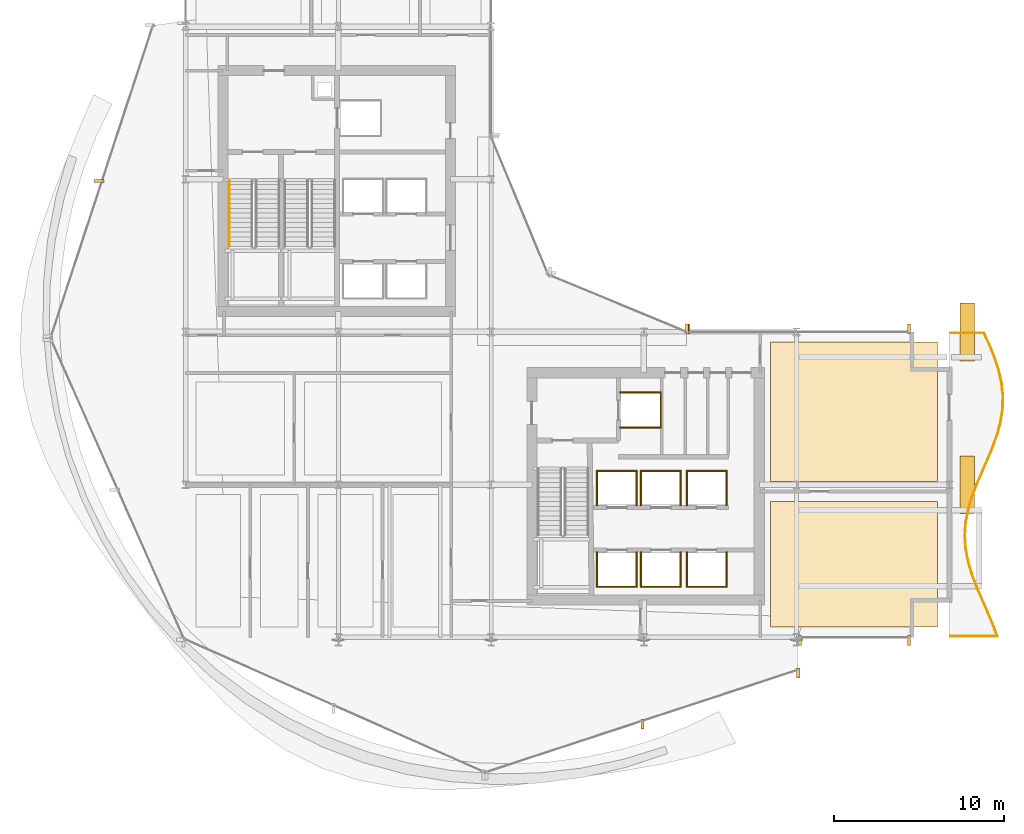
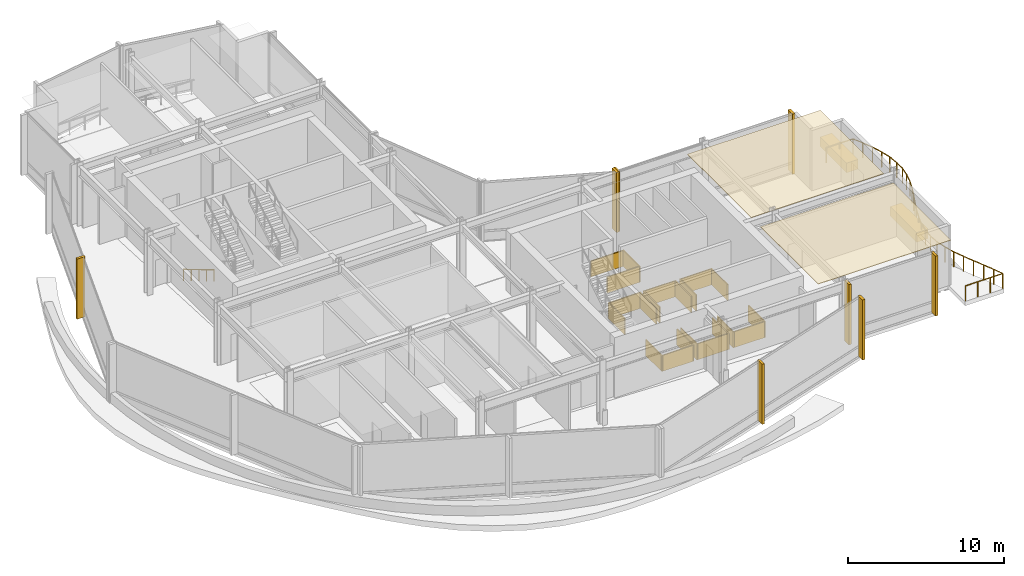
# One storey, part 31 of 33: 33 coverings, 27 railings.
"""IFC4 building model written with IfcOpenShell, lengths in metres."""

from ifc_helpers import new_model, si_unit, direction, frame, origin, origin_2d, place, context, subcontext, project, spatial, polyline, rectangle, circle, outline, extrude, material, layer, layer_set, type_object, element, save


model = new_model("IFC4")

# Units and contexts
model_context = context("Model", 3, precision=1e-05, world=origin(), true_north=direction((0.0, 1.0)))
body_context = subcontext(model_context, "Body", "Model", "MODEL_VIEW")
ifc_project = project(units=[si_unit("LENGTHUNIT", "METRE"), si_unit("AREAUNIT", "SQUARE_METRE"), si_unit("VOLUMEUNIT", "CUBIC_METRE"), si_unit("PLANEANGLEUNIT", "RADIAN"), si_unit("MASSUNIT", "GRAM", prefix="KILO")], contexts=[model_context])

# Site, building, storey
site_placement = place(None, origin())
site = spatial("IfcSite", under=ifc_project, at=site_placement, CompositionType="ELEMENT")
building_placement = place(site_placement, origin())
building = spatial("IfcBuilding", under=site, at=building_placement, Name="Solvaryn Broadcast Tower", CompositionType="ELEMENT")
storey_placement = place(building_placement, frame((0.0, 0.0, 105.0)))
storey = spatial("IfcBuildingStorey", under=building, at=storey_placement, Name="L25", CompositionType="ELEMENT", Elevation=105.0)

# Coverings
ifc_material_1 = material(Name="Micro-Perforated Acoustic Gypsum Ceiling", Category="concrete")
ifc_layer_1 = layer(ifc_material_1, 0.0400390625)
ifc_layer_set_1 = layer_set([ifc_layer_1], Name="CV-CEIL-ACOUSTIC")
covering_type_1 = type_object("IfcCoveringType", Name="CV-CEIL-ACOUSTIC", PredefinedType="CEILING", material=ifc_layer_set_1)
covering_1_placement = place(storey_placement, frame((0.0, 0.0, 4.679931640625)))
element("IfcCovering", 1, at=covering_1_placement, inside=storey, type_object=covering_type_1, Name="L25 Room Acoustic Ceiling 10", PredefinedType="CEILING", context=body_context, shape_type="SweptSolid", body=[
    extrude(outline(polyline([(43.449951171875, 9.60009765625), (53.300048828125, 9.60009765625), (53.300048828125, 17.0), (43.449951171875, 17.0), (43.449951171875, 9.60009765625)])), origin(), (0.0, 0.0, 1.0), 0.0400390625),
])
covering_2_placement = place(storey_placement, frame((0.0, 0.0, 4.679931640625)))
element("IfcCovering", 2, at=covering_2_placement, inside=storey, type_object=covering_type_1, Name="L25 Room Acoustic Ceiling 11", PredefinedType="CEILING", context=body_context, shape_type="SweptSolid", body=[
    extrude(outline(polyline([(43.449951171875, 18.199951171875), (53.300048828125, 18.199951171875), (53.300048828125, 26.39990234375), (43.449951171875, 26.39990234375), (43.449951171875, 18.199951171875)])), origin(), (0.0, 0.0, 1.0), 0.0400390625),
])
ifc_material_2 = material(Name="Fire-Rated Gypsum Shaftwall Liner", Category="concrete")
ifc_layer_2 = layer(ifc_material_2, 0.080078125)
ifc_layer_set_2 = layer_set([ifc_layer_2], Name="CV-SHAFT-LINER")
covering_type_2 = type_object("IfcCoveringType", Name="CV-SHAFT-LINER", PredefinedType="CLADDING", material=ifc_layer_set_2)
for number, where, z_axis, x_axis, name in (
    (3, (35.800048828125, 23.43994140625, 0.0), (0.0, 0.0, 1.0), (1.0, 0.0, 0.0), "L25 FL2 Hoistway Shaft Liner North"),
    (4, (35.800048828125, 21.360107421875, 0.0), (0.0, 0.0, 1.0), (1.0, 0.0, 0.0), "L25 FL2 Hoistway Shaft Liner South"),
):
    element("IfcCovering", number, at=place(storey_placement, frame(where, z_axis=z_axis, x_axis=x_axis)), inside=storey, type_object=covering_type_2, Name=name, PredefinedType="CLADDING", context=body_context, shape_type="SweptSolid", body=[
        extrude(rectangle(XDim=2.4599609375, YDim=0.080078125, at=origin_2d()), origin(), (0.0, 0.0, 1.0), 1.25),
    ])
covering_3_placement = place(storey_placement, frame((36.989990234375, 22.39990234375, 0.0), z_axis=(0.0, 0.0, 1.0), x_axis=(1.0, 0.0, 0.0)))
element("IfcCovering", 5, at=covering_3_placement, inside=storey, type_object=covering_type_2, Name="L25 FL2 Hoistway Shaft Liner East", PredefinedType="CLADDING", context=body_context, shape_type="SweptSolid", body=[
    extrude(rectangle(XDim=0.080078125, YDim=2.159912109375, at=origin_2d()), origin(), (0.0, 0.0, 1.0), 1.25),
])
covering_4_placement = place(storey_placement, frame((34.39990234375, 11.985107421875, 0.0), z_axis=(0.0, 0.0, 1.0), x_axis=(1.0, 0.0, 0.0)))
element("IfcCovering", 6, at=covering_4_placement, inside=storey, type_object=covering_type_2, Name="L25 PL1 Hoistway Shaft Liner South", PredefinedType="CLADDING", context=body_context, shape_type="SweptSolid", body=[
    extrude(rectangle(XDim=2.409912109375, YDim=0.080078125, at=origin_2d()), origin(), (0.0, 0.0, 1.0), 1.25),
])
for number, where, z_axis, x_axis, name in (
    (7, (35.56494140625, 13.0, 0.0), (0.0, 0.0, 1.0), (1.0, 0.0, 0.0), "L25 PL1 Hoistway Shaft Liner East"),
    (8, (33.235107421875, 13.0, 0.0), (0.0, 0.0, 1.0), (1.0, 0.0, 0.0), "L25 PL1 Hoistway Shaft Liner West"),
):
    element("IfcCovering", number, at=place(storey_placement, frame(where, z_axis=z_axis, x_axis=x_axis)), inside=storey, type_object=covering_type_2, Name=name, PredefinedType="CLADDING", context=body_context, shape_type="SweptSolid", body=[
        extrude(rectangle(XDim=0.080078125, YDim=2.110107421875, at=origin_2d()), origin(), (0.0, 0.0, 1.0), 1.25),
    ])
covering_5_placement = place(storey_placement, frame((37.0, 11.985107421875, 0.0), z_axis=(0.0, 0.0, 1.0), x_axis=(1.0, 0.0, 0.0)))
element("IfcCovering", 9, at=covering_5_placement, inside=storey, type_object=covering_type_2, Name="L25 PL2 Hoistway Shaft Liner South", PredefinedType="CLADDING", context=body_context, shape_type="SweptSolid", body=[
    extrude(rectangle(XDim=2.409912109375, YDim=0.080078125, at=origin_2d()), origin(), (0.0, 0.0, 1.0), 1.25),
])
for number, where, z_axis, x_axis, name in (
    (10, (38.1650390625, 13.0, 0.0), (0.0, 0.0, 1.0), (1.0, 0.0, 0.0), "L25 PL2 Hoistway Shaft Liner East"),
    (11, (35.8349609375, 13.0, 0.0), (0.0, 0.0, 1.0), (1.0, 0.0, 0.0), "L25 PL2 Hoistway Shaft Liner West"),
):
    element("IfcCovering", number, at=place(storey_placement, frame(where, z_axis=z_axis, x_axis=x_axis)), inside=storey, type_object=covering_type_2, Name=name, PredefinedType="CLADDING", context=body_context, shape_type="SweptSolid", body=[
        extrude(rectangle(XDim=0.080078125, YDim=2.110107421875, at=origin_2d()), origin(), (0.0, 0.0, 1.0), 1.25),
    ])
covering_6_placement = place(storey_placement, frame((34.39990234375, 18.81494140625, 0.0), z_axis=(0.0, 0.0, 1.0), x_axis=(1.0, 0.0, 0.0)))
element("IfcCovering", 12, at=covering_6_placement, inside=storey, type_object=covering_type_2, Name="L25 PL3 Hoistway Shaft Liner North", PredefinedType="CLADDING", context=body_context, shape_type="SweptSolid", body=[
    extrude(rectangle(XDim=2.409912109375, YDim=0.080078125, at=origin_2d()), origin(), (0.0, 0.0, 1.0), 1.25),
])
for number, where, z_axis, x_axis, name in (
    (13, (35.56494140625, 17.800048828125, 0.0), (0.0, 0.0, 1.0), (1.0, 0.0, 0.0), "L25 PL3 Hoistway Shaft Liner East"),
    (14, (33.235107421875, 17.800048828125, 0.0), (0.0, 0.0, 1.0), (1.0, 0.0, 0.0), "L25 PL3 Hoistway Shaft Liner West"),
):
    element("IfcCovering", number, at=place(storey_placement, frame(where, z_axis=z_axis, x_axis=x_axis)), inside=storey, type_object=covering_type_2, Name=name, PredefinedType="CLADDING", context=body_context, shape_type="SweptSolid", body=[
        extrude(rectangle(XDim=0.080078125, YDim=2.110107421875, at=origin_2d()), origin(), (0.0, 0.0, 1.0), 1.25),
    ])
covering_7_placement = place(storey_placement, frame((37.0, 18.81494140625, 0.0), z_axis=(0.0, 0.0, 1.0), x_axis=(1.0, 0.0, 0.0)))
element("IfcCovering", 15, at=covering_7_placement, inside=storey, type_object=covering_type_2, Name="L25 PL4 Hoistway Shaft Liner North", PredefinedType="CLADDING", context=body_context, shape_type="SweptSolid", body=[
    extrude(rectangle(XDim=2.409912109375, YDim=0.080078125, at=origin_2d()), origin(), (0.0, 0.0, 1.0), 1.25),
])
for number, where, z_axis, x_axis, name in (
    (16, (38.1650390625, 17.800048828125, 0.0), (0.0, 0.0, 1.0), (1.0, 0.0, 0.0), "L25 PL4 Hoistway Shaft Liner East"),
    (17, (35.8349609375, 17.800048828125, 0.0), (0.0, 0.0, 1.0), (1.0, 0.0, 0.0), "L25 PL4 Hoistway Shaft Liner West"),
):
    element("IfcCovering", number, at=place(storey_placement, frame(where, z_axis=z_axis, x_axis=x_axis)), inside=storey, type_object=covering_type_2, Name=name, PredefinedType="CLADDING", context=body_context, shape_type="SweptSolid", body=[
        extrude(rectangle(XDim=0.080078125, YDim=2.110107421875, at=origin_2d()), origin(), (0.0, 0.0, 1.0), 1.25),
    ])
covering_8_placement = place(storey_placement, frame((39.699951171875, 11.985107421875, 0.0), z_axis=(0.0, 0.0, 1.0), x_axis=(1.0, 0.0, 0.0)))
element("IfcCovering", 18, at=covering_8_placement, inside=storey, type_object=covering_type_2, Name="L25 PM1 Hoistway Shaft Liner South", PredefinedType="CLADDING", context=body_context, shape_type="SweptSolid", body=[
    extrude(rectangle(XDim=2.409912109375, YDim=0.080078125, at=origin_2d()), origin(), (0.0, 0.0, 1.0), 1.25),
])
for number, where, z_axis, x_axis, name in (
    (19, (40.864990234375, 13.0, 0.0), (0.0, 0.0, 1.0), (1.0, 0.0, 0.0), "L25 PM1 Hoistway Shaft Liner East"),
    (20, (38.534912109375, 13.0, 0.0), (0.0, 0.0, 1.0), (1.0, 0.0, 0.0), "L25 PM1 Hoistway Shaft Liner West"),
):
    element("IfcCovering", number, at=place(storey_placement, frame(where, z_axis=z_axis, x_axis=x_axis)), inside=storey, type_object=covering_type_2, Name=name, PredefinedType="CLADDING", context=body_context, shape_type="SweptSolid", body=[
        extrude(rectangle(XDim=0.080078125, YDim=2.110107421875, at=origin_2d()), origin(), (0.0, 0.0, 1.0), 1.25),
    ])
covering_9_placement = place(storey_placement, frame((39.699951171875, 18.81494140625, 0.0), z_axis=(0.0, 0.0, 1.0), x_axis=(1.0, 0.0, 0.0)))
element("IfcCovering", 21, at=covering_9_placement, inside=storey, type_object=covering_type_2, Name="L25 PM2 Hoistway Shaft Liner North", PredefinedType="CLADDING", context=body_context, shape_type="SweptSolid", body=[
    extrude(rectangle(XDim=2.409912109375, YDim=0.080078125, at=origin_2d()), origin(), (0.0, 0.0, 1.0), 1.25),
])
for number, where, z_axis, x_axis, name in (
    (22, (40.864990234375, 17.800048828125, 0.0), (0.0, 0.0, 1.0), (1.0, 0.0, 0.0), "L25 PM2 Hoistway Shaft Liner East"),
    (23, (38.534912109375, 17.800048828125, 0.0), (0.0, 0.0, 1.0), (1.0, 0.0, 0.0), "L25 PM2 Hoistway Shaft Liner West"),
):
    element("IfcCovering", number, at=place(storey_placement, frame(where, z_axis=z_axis, x_axis=x_axis)), inside=storey, type_object=covering_type_2, Name=name, PredefinedType="CLADDING", context=body_context, shape_type="SweptSolid", body=[
        extrude(rectangle(XDim=0.080078125, YDim=2.110107421875, at=origin_2d()), origin(), (0.0, 0.0, 1.0), 1.25),
    ])
ifc_material_3 = material(Name="Glazed Architectural Terracotta Rainscreen Cladding", Category="masonry")
ifc_layer_3 = layer(ifc_material_3, 0.280029296875)
ifc_layer_set_3 = layer_set([ifc_layer_3], Name="CV-TC-CLAD")
covering_type_3 = type_object("IfcCoveringType", Name="CV-TC-CLAD", PredefinedType="CLADDING", material=ifc_layer_set_3)
for number, where, z_axis, x_axis, name in (
    (24, (55.050048828125, 18.0, 0.0), (0.0, 0.0, 1.0), (1.0, 0.0, 0.0), "L25 Sky-Garden Planter Bed 1"),
    (25, (55.050048828125, 27.0, 0.0), (0.0, 0.0, 1.0), (1.0, 0.0, 0.0), "L25 Sky-Garden Planter Bed 2"),
):
    element("IfcCovering", number, at=place(storey_placement, frame(where, z_axis=z_axis, x_axis=x_axis)), inside=storey, type_object=covering_type_3, Name=name, PredefinedType="CLADDING", context=body_context, shape_type="SweptSolid", body=[
        extrude(rectangle(XDim=0.85009765625, YDim=3.39990234375, at=origin_2d()), origin(), (0.0, 0.0, 1.0), 0.760009765625),
    ])
ifc_material_4 = material(Name="Extruded Architectural Terracotta Fin", Category="masonry")
ifc_layer_4 = layer(ifc_material_4, 0.179931640625)
ifc_layer_set_4 = layer_set([ifc_layer_4], Name="CV-TC-FIN")
covering_type_4 = type_object("IfcCoveringType", Name="CV-TC-FIN", PredefinedType="USERDEFINED", material=ifc_layer_set_4)
covering_10_placement = place(storey_placement, frame((3.885498046875, 35.90771484375, 0.0), z_axis=(0.0, 0.0, 1.0), x_axis=(1.0, 0.0, 0.0)))
element("IfcCovering", 26, at=covering_10_placement, inside=storey, type_object=covering_type_4, Name="L25 Terracotta Vertical Fin FIN-L25-DR1-M01", ObjectType="FIN", PredefinedType="USERDEFINED", context=body_context, shape_type="SweptSolid", body=[
    extrude(rectangle(XDim=0.580078125, YDim=0.179931640625, at=origin_2d()), origin(), (0.0, 0.0, 1.0), 4.719970703125),
])
for number, where, z_axis, x_axis, name in (
    (27, (35.90771484375, 3.885498046875, 0.0), (0.0, 0.0, 1.0), (1.0, 0.0, 0.0), "L25 Terracotta Vertical Fin FIN-L25-DR4-M01"),
    (28, (45.0947265625, 6.898681640625, 0.0), (0.0, 0.0, 1.0), (1.0, 0.0, 0.0), "L25 Terracotta Vertical Fin FIN-L25-DR4-M02"),
    (29, (38.541259765625, 27.177978515625, 0.0), (0.0, 0.0, 1.0), (1.0, 0.0, 0.0), "L25 Terracotta Vertical Fin FIN-L25-CN1-M00"),
    (30, (45.197021484375, 8.8125, 0.0), (0.0, 0.0, 1.0), (1.0, 0.0, 0.0), "L25 Terracotta Vertical Fin FIN-L25-S2-M00"),
    (31, (51.6201171875, 8.8125, 0.0), (0.0, 0.0, 1.0), (1.0, 0.0, 0.0), "L25 Terracotta Vertical Fin FIN-L25-S2-M01"),
    (32, (38.6298828125, 27.1875, 0.0), (0.0, 0.0, 1.0), (1.0, 0.0, 0.0), "L25 Terracotta Vertical Fin FIN-L25-IH-M00"),
    (33, (51.6201171875, 27.1875, 0.0), (0.0, 0.0, 1.0), (1.0, 0.0, 0.0), "L25 Terracotta Vertical Fin FIN-L25-IH-M01"),
):
    element("IfcCovering", number, at=place(storey_placement, frame(where, z_axis=z_axis, x_axis=x_axis)), inside=storey, type_object=covering_type_4, Name=name, ObjectType="FIN", PredefinedType="USERDEFINED", context=body_context, shape_type="SweptSolid", body=[
        extrude(rectangle(XDim=0.179931640625, YDim=0.580078125, at=origin_2d()), origin(), (0.0, 0.0, 1.0), 4.719970703125),
    ])

# Railings
ifc_material_5 = material(Name="Stainless Steel and Laminated Glass Guard", Category="steel")
railing_type_1 = type_object("IfcRailingType", Name="RL-SKYG-1200", PredefinedType="BALUSTRADE", material=ifc_material_5)
railing_1_placement = place(storey_placement, frame((54.06005859375, 9.06005859375, 0.0)))
element("IfcRailing", 34, at=railing_1_placement, inside=storey, type_object=railing_type_1, Name="L25 Terrace Guard TSSG2-1", PredefinedType="BALUSTRADE", context=body_context, shape_type="SweptSolid", body=[
    extrude(circle(Radius=0.02392578125, at=origin_2d()), frame((0.0, 0.0, 1.17578125), z_axis=(1.0, 0.0, 0.0), x_axis=(0.0, 1.0, 0.0)), (0.0, 0.0, 1.0), 2.775390625),
    extrude(circle(Radius=0.02099609375, at=origin_2d()), origin(), (0.0, 0.0, 1.0), 1.15185546875),
    extrude(circle(Radius=0.02099609375, at=origin_2d()), frame((0.925048828125, 0.0, 0.0)), (0.0, 0.0, 1.0), 1.15185546875),
    extrude(circle(Radius=0.02099609375, at=origin_2d()), frame((1.850341796875, 0.0, 0.0)), (0.0, 0.0, 1.0), 1.15185546875),
    extrude(circle(Radius=0.02099609375, at=origin_2d()), frame((2.775390625, 0.0, 0.0)), (0.0, 0.0, 1.0), 1.15185546875),
])
railing_2_placement = place(storey_placement, frame((56.83544921875, 9.06005859375, 0.0)))
element("IfcRailing", 35, at=railing_2_placement, inside=storey, type_object=railing_type_1, Name="L25 Terrace Guard TSSG2-2", PredefinedType="BALUSTRADE", context=body_context, shape_type="SweptSolid", body=[
    extrude(circle(Radius=0.02392578125, at=origin_2d()), frame((0.0, 0.0, 1.17578125), z_axis=(-0.358713457042, 0.93344772523, 0.0), x_axis=(-0.93344772523, -0.358713457042, 0.0)), (0.0, 0.0, 1.0), 0.739013671875),
    extrude(circle(Radius=0.02099609375, at=origin_2d()), origin(), (0.0, 0.0, 1.0), 1.15185546875),
    extrude(circle(Radius=0.02099609375, at=origin_2d()), frame((-0.26513671875, 0.68994140625, 0.0)), (0.0, 0.0, 1.0), 1.15185546875),
])
railing_3_placement = place(storey_placement, frame((56.5703125, 9.75, 0.0)))
element("IfcRailing", 36, at=railing_3_placement, inside=storey, type_object=railing_type_1, Name="L25 Terrace Guard TSSG2-3", PredefinedType="BALUSTRADE", context=body_context, shape_type="SweptSolid", body=[
    extrude(circle(Radius=0.02392578125, at=origin_2d()), frame((0.0, 0.0, 1.17578125), z_axis=(-0.382820994177, 0.923822540544, 0.0), x_axis=(-0.923822540544, -0.382820994177, 0.0)), (0.0, 0.0, 1.0), 0.811767578125),
    extrude(circle(Radius=0.02099609375, at=origin_2d()), origin(), (0.0, 0.0, 1.0), 1.15185546875),
    extrude(circle(Radius=0.02099609375, at=origin_2d()), frame((-0.310791015625, 0.75, 0.0)), (0.0, 0.0, 1.0), 1.15185546875),
])
railing_4_placement = place(storey_placement, frame((56.259521484375, 10.5, 0.0)))
element("IfcRailing", 37, at=railing_4_placement, inside=storey, type_object=railing_type_1, Name="L25 Terrace Guard TSSG2-4", PredefinedType="BALUSTRADE", context=body_context, shape_type="SweptSolid", body=[
    extrude(circle(Radius=0.02392578125, at=origin_2d()), frame((0.0, 0.0, 1.17578125), z_axis=(-0.402568847515, 0.915389711003, 0.0), x_axis=(-0.915389711003, -0.402568847515, 0.0)), (0.0, 0.0, 1.0), 0.8193359375),
    extrude(circle(Radius=0.02099609375, at=origin_2d()), origin(), (0.0, 0.0, 1.0), 1.15185546875),
    extrude(circle(Radius=0.02099609375, at=origin_2d()), frame((-0.329833984375, 0.75, 0.0)), (0.0, 0.0, 1.0), 1.15185546875),
])
railing_5_placement = place(storey_placement, frame((55.9296875, 11.25, 0.0)))
element("IfcRailing", 38, at=railing_5_placement, inside=storey, type_object=railing_type_1, Name="L25 Terrace Guard TSSG2-5", PredefinedType="BALUSTRADE", context=body_context, shape_type="SweptSolid", body=[
    extrude(circle(Radius=0.02392578125, at=origin_2d()), frame((0.0, 0.0, 1.17578125), z_axis=(-0.392509604387, 0.919747905931, 0.0), x_axis=(-0.919747905931, -0.392509604387, 0.0)), (0.0, 0.0, 1.0), 0.8154296875),
    extrude(circle(Radius=0.02099609375, at=origin_2d()), origin(), (0.0, 0.0, 1.0), 1.15185546875),
    extrude(circle(Radius=0.02099609375, at=origin_2d()), frame((-0.320068359375, 0.75, 0.0)), (0.0, 0.0, 1.0), 1.15185546875),
])
railing_6_placement = place(storey_placement, frame((55.609619140625, 12.0, 0.0)))
element("IfcRailing", 39, at=railing_6_placement, inside=storey, type_object=railing_type_1, Name="L25 Terrace Guard TSSG2-6", PredefinedType="BALUSTRADE", context=body_context, shape_type="SweptSolid", body=[
    extrude(circle(Radius=0.02392578125, at=origin_2d()), frame((0.0, 0.0, 1.17578125), z_axis=(-0.353258431631, 0.935525777561, 0.0), x_axis=(-0.935525777561, -0.353258431631, 0.0)), (0.0, 0.0, 1.0), 0.8017578125),
    extrude(circle(Radius=0.02099609375, at=origin_2d()), origin(), (0.0, 0.0, 1.0), 1.15185546875),
    extrude(circle(Radius=0.02099609375, at=origin_2d()), frame((-0.283203125, 0.75, 0.0)), (0.0, 0.0, 1.0), 1.15185546875),
])
railing_7_placement = place(storey_placement, frame((55.326416015625, 12.75, 0.0)))
element("IfcRailing", 40, at=railing_7_placement, inside=storey, type_object=railing_type_1, Name="L25 Terrace Guard TSSG2-7", PredefinedType="BALUSTRADE", context=body_context, shape_type="SweptSolid", body=[
    extrude(circle(Radius=0.02392578125, at=origin_2d()), frame((0.0, 0.0, 1.17578125), z_axis=(-0.283737593123, 0.958901964879, 0.0), x_axis=(-0.958901964879, -0.283737593123, 0.0)), (0.0, 0.0, 1.0), 0.7822265625),
    extrude(circle(Radius=0.02099609375, at=origin_2d()), origin(), (0.0, 0.0, 1.0), 1.15185546875),
    extrude(circle(Radius=0.02099609375, at=origin_2d()), frame((-0.221923828125, 0.75, 0.0)), (0.0, 0.0, 1.0), 1.15185546875),
])
railing_8_placement = place(storey_placement, frame((55.1044921875, 13.5, 0.0)))
element("IfcRailing", 41, at=railing_8_placement, inside=storey, type_object=railing_type_1, Name="L25 Terrace Guard TSSG2-8", PredefinedType="BALUSTRADE", context=body_context, shape_type="SweptSolid", body=[
    extrude(circle(Radius=0.02392578125, at=origin_2d()), frame((0.0, 0.0, 1.17578125), z_axis=(-0.184906584209, 0.982756101541, 0.0), x_axis=(-0.982756101541, -0.184906584209, 0.0)), (0.0, 0.0, 1.0), 0.76318359375),
    extrude(circle(Radius=0.02099609375, at=origin_2d()), origin(), (0.0, 0.0, 1.0), 1.15185546875),
    extrude(circle(Radius=0.02099609375, at=origin_2d()), frame((-0.14111328125, 0.75, 0.0)), (0.0, 0.0, 1.0), 1.15185546875),
])
railing_9_placement = place(storey_placement, frame((54.96337890625, 14.25, 0.0)))
element("IfcRailing", 42, at=railing_9_placement, inside=storey, type_object=railing_type_1, Name="L25 Terrace Guard TSSG2-9", PredefinedType="BALUSTRADE", context=body_context, shape_type="SweptSolid", body=[
    extrude(circle(Radius=0.02392578125, at=origin_2d()), frame((0.0, 0.0, 1.17578125), z_axis=(-0.064319664914, 0.99792934655, 0.0), x_axis=(-0.99792934655, -0.064319664914, 0.0)), (0.0, 0.0, 1.0), 0.75146484375),
    extrude(circle(Radius=0.02099609375, at=origin_2d()), origin(), (0.0, 0.0, 1.0), 1.15185546875),
    extrude(circle(Radius=0.02099609375, at=origin_2d()), frame((-0.04833984375, 0.75, 0.0)), (0.0, 0.0, 1.0), 1.15185546875),
])
railing_10_placement = place(storey_placement, frame((54.9150390625, 15.0, 0.0)))
element("IfcRailing", 43, at=railing_10_placement, inside=storey, type_object=railing_type_1, Name="L25 Terrace Guard TSSG2-10", PredefinedType="BALUSTRADE", context=body_context, shape_type="SweptSolid", body=[
    extrude(circle(Radius=0.02392578125, at=origin_2d()), frame((0.0, 0.0, 1.17578125), z_axis=(0.064319664914, 0.99792934655, 0.0), x_axis=(-0.99792934655, 0.064319664914, 0.0)), (0.0, 0.0, 1.0), 0.75146484375),
    extrude(circle(Radius=0.02099609375, at=origin_2d()), origin(), (0.0, 0.0, 1.0), 1.15185546875),
    extrude(circle(Radius=0.02099609375, at=origin_2d()), frame((0.04833984375, 0.75, 0.0)), (0.0, 0.0, 1.0), 1.15185546875),
])
railing_11_placement = place(storey_placement, frame((54.96337890625, 15.75, 0.0)))
element("IfcRailing", 44, at=railing_11_placement, inside=storey, type_object=railing_type_1, Name="L25 Terrace Guard TSSG2-11", PredefinedType="BALUSTRADE", context=body_context, shape_type="SweptSolid", body=[
    extrude(circle(Radius=0.02392578125, at=origin_2d()), frame((0.0, 0.0, 1.17578125), z_axis=(0.184906584209, 0.982756101541, 0.0), x_axis=(-0.982756101541, 0.184906584209, 0.0)), (0.0, 0.0, 1.0), 0.76318359375),
    extrude(circle(Radius=0.02099609375, at=origin_2d()), origin(), (0.0, 0.0, 1.0), 1.15185546875),
    extrude(circle(Radius=0.02099609375, at=origin_2d()), frame((0.14111328125, 0.75, 0.0)), (0.0, 0.0, 1.0), 1.15185546875),
])
railing_12_placement = place(storey_placement, frame((55.1044921875, 16.5, 0.0)))
element("IfcRailing", 45, at=railing_12_placement, inside=storey, type_object=railing_type_1, Name="L25 Terrace Guard TSSG2-12", PredefinedType="BALUSTRADE", context=body_context, shape_type="SweptSolid", body=[
    extrude(circle(Radius=0.02392578125, at=origin_2d()), frame((0.0, 0.0, 1.17578125), z_axis=(0.283737593123, 0.958901964879, 0.0), x_axis=(-0.958901964879, 0.283737593123, 0.0)), (0.0, 0.0, 1.0), 0.7822265625),
    extrude(circle(Radius=0.02099609375, at=origin_2d()), origin(), (0.0, 0.0, 1.0), 1.15185546875),
    extrude(circle(Radius=0.02099609375, at=origin_2d()), frame((0.221923828125, 0.75, 0.0)), (0.0, 0.0, 1.0), 1.15185546875),
])
railing_13_placement = place(storey_placement, frame((55.326416015625, 17.25, 0.0)))
element("IfcRailing", 46, at=railing_13_placement, inside=storey, type_object=railing_type_1, Name="L25 Terrace Guard TSSG2-13", PredefinedType="BALUSTRADE", context=body_context, shape_type="SweptSolid", body=[
    extrude(circle(Radius=0.02392578125, at=origin_2d()), frame((0.0, 0.0, 1.17578125), z_axis=(0.353258431631, 0.935525777561, 0.0), x_axis=(-0.935525777561, 0.353258431631, 0.0)), (0.0, 0.0, 1.0), 0.8017578125),
    extrude(circle(Radius=0.02099609375, at=origin_2d()), origin(), (0.0, 0.0, 1.0), 1.15185546875),
    extrude(circle(Radius=0.02099609375, at=origin_2d()), frame((0.283203125, 0.75, 0.0)), (0.0, 0.0, 1.0), 1.15185546875),
])
railing_14_placement = place(storey_placement, frame((55.609619140625, 18.0, 0.0)))
element("IfcRailing", 47, at=railing_14_placement, inside=storey, type_object=railing_type_1, Name="L25 Terrace Guard TSSG2-14", PredefinedType="BALUSTRADE", context=body_context, shape_type="SweptSolid", body=[
    extrude(circle(Radius=0.02392578125, at=origin_2d()), frame((0.0, 0.0, 1.17578125), z_axis=(0.392509604387, 0.919747905931, 0.0), x_axis=(-0.919747905931, 0.392509604387, 0.0)), (0.0, 0.0, 1.0), 0.8154296875),
    extrude(circle(Radius=0.02099609375, at=origin_2d()), origin(), (0.0, 0.0, 1.0), 1.15185546875),
    extrude(circle(Radius=0.02099609375, at=origin_2d()), frame((0.320068359375, 0.75, 0.0)), (0.0, 0.0, 1.0), 1.15185546875),
])
railing_15_placement = place(storey_placement, frame((55.9296875, 18.75, 0.0)))
element("IfcRailing", 48, at=railing_15_placement, inside=storey, type_object=railing_type_1, Name="L25 Terrace Guard TSSG2-15", PredefinedType="BALUSTRADE", context=body_context, shape_type="SweptSolid", body=[
    extrude(circle(Radius=0.02392578125, at=origin_2d()), frame((0.0, 0.0, 1.17578125), z_axis=(0.402568847515, 0.915389711003, 0.0), x_axis=(-0.915389711003, 0.402568847515, 0.0)), (0.0, 0.0, 1.0), 0.8193359375),
    extrude(circle(Radius=0.02099609375, at=origin_2d()), origin(), (0.0, 0.0, 1.0), 1.15185546875),
    extrude(circle(Radius=0.02099609375, at=origin_2d()), frame((0.329833984375, 0.75, 0.0)), (0.0, 0.0, 1.0), 1.15185546875),
])
railing_16_placement = place(storey_placement, frame((56.259521484375, 19.5, 0.0)))
element("IfcRailing", 49, at=railing_16_placement, inside=storey, type_object=railing_type_1, Name="L25 Terrace Guard TSSG2-16", PredefinedType="BALUSTRADE", context=body_context, shape_type="SweptSolid", body=[
    extrude(circle(Radius=0.02392578125, at=origin_2d()), frame((0.0, 0.0, 1.17578125), z_axis=(0.382820994177, 0.923822540544, 0.0), x_axis=(-0.923822540544, 0.382820994177, 0.0)), (0.0, 0.0, 1.0), 0.811767578125),
    extrude(circle(Radius=0.02099609375, at=origin_2d()), origin(), (0.0, 0.0, 1.0), 1.15185546875),
    extrude(circle(Radius=0.02099609375, at=origin_2d()), frame((0.310791015625, 0.75, 0.0)), (0.0, 0.0, 1.0), 1.15185546875),
])
railing_17_placement = place(storey_placement, frame((56.5703125, 20.25, 0.0)))
element("IfcRailing", 50, at=railing_17_placement, inside=storey, type_object=railing_type_1, Name="L25 Terrace Guard TSSG2-17", PredefinedType="BALUSTRADE", context=body_context, shape_type="SweptSolid", body=[
    extrude(circle(Radius=0.02392578125, at=origin_2d()), frame((0.0, 0.0, 1.17578125), z_axis=(0.333301683221, 0.942820230989, 0.0), x_axis=(-0.942820230989, 0.333301683221, 0.0)), (0.0, 0.0, 1.0), 0.79541015625),
    extrude(circle(Radius=0.02099609375, at=origin_2d()), origin(), (0.0, 0.0, 1.0), 1.15185546875),
    extrude(circle(Radius=0.02099609375, at=origin_2d()), frame((0.26513671875, 0.75, 0.0)), (0.0, 0.0, 1.0), 1.15185546875),
])
railing_18_placement = place(storey_placement, frame((56.83544921875, 21.0, 0.0)))
element("IfcRailing", 51, at=railing_18_placement, inside=storey, type_object=railing_type_1, Name="L25 Terrace Guard TSSG2-18", PredefinedType="BALUSTRADE", context=body_context, shape_type="SweptSolid", body=[
    extrude(circle(Radius=0.02392578125, at=origin_2d()), frame((0.0, 0.0, 1.17578125), z_axis=(0.253780299957, 0.967261887678, 0.0), x_axis=(-0.967261887678, 0.253780299957, 0.0)), (0.0, 0.0, 1.0), 0.775390625),
    extrude(circle(Radius=0.02099609375, at=origin_2d()), origin(), (0.0, 0.0, 1.0), 1.15185546875),
    extrude(circle(Radius=0.02099609375, at=origin_2d()), frame((0.19677734375, 0.75, 0.0)), (0.0, 0.0, 1.0), 1.15185546875),
])
railing_19_placement = place(storey_placement, frame((57.0322265625, 21.75, 0.0)))
element("IfcRailing", 52, at=railing_19_placement, inside=storey, type_object=railing_type_1, Name="L25 Terrace Guard TSSG2-19", PredefinedType="BALUSTRADE", context=body_context, shape_type="SweptSolid", body=[
    extrude(circle(Radius=0.02392578125, at=origin_2d()), frame((0.0, 0.0, 1.17578125), z_axis=(0.146513650729, 0.989208648441, 0.0), x_axis=(-0.989208648441, 0.146513650729, 0.0)), (0.0, 0.0, 1.0), 0.75830078125),
    extrude(circle(Radius=0.02099609375, at=origin_2d()), origin(), (0.0, 0.0, 1.0), 1.15185546875),
    extrude(circle(Radius=0.02099609375, at=origin_2d()), frame((0.111083984375, 0.75, 0.0)), (0.0, 0.0, 1.0), 1.15185546875),
])
railing_20_placement = place(storey_placement, frame((57.143310546875, 22.5, 0.0)))
element("IfcRailing", 53, at=railing_20_placement, inside=storey, type_object=railing_type_1, Name="L25 Terrace Guard TSSG2-20", PredefinedType="BALUSTRADE", context=body_context, shape_type="SweptSolid", body=[
    extrude(circle(Radius=0.02392578125, at=origin_2d()), frame((0.0, 0.0, 1.17578125), z_axis=(0.02180471051, 0.999762249037, 0.0), x_axis=(-0.999762249037, 0.02180471051, 0.0)), (0.0, 0.0, 1.0), 0.750244140625),
    extrude(circle(Radius=0.02099609375, at=origin_2d()), origin(), (0.0, 0.0, 1.0), 1.15185546875),
    extrude(circle(Radius=0.02099609375, at=origin_2d()), frame((0.016357421875, 0.75, 0.0)), (0.0, 0.0, 1.0), 1.15185546875),
])
railing_21_placement = place(storey_placement, frame((57.15966796875, 23.25, 0.0)))
element("IfcRailing", 54, at=railing_21_placement, inside=storey, type_object=railing_type_1, Name="L25 Terrace Guard TSSG2-21", PredefinedType="BALUSTRADE", context=body_context, shape_type="SweptSolid", body=[
    extrude(circle(Radius=0.02392578125, at=origin_2d()), frame((0.0, 0.0, 1.17578125), z_axis=(-0.106487409735, 0.994314050775, 0.0), x_axis=(-0.994314050775, -0.106487409735, 0.0)), (0.0, 0.0, 1.0), 0.75439453125),
    extrude(circle(Radius=0.02099609375, at=origin_2d()), origin(), (0.0, 0.0, 1.0), 1.15185546875),
    extrude(circle(Radius=0.02099609375, at=origin_2d()), frame((-0.080322265625, 0.75, 0.0)), (0.0, 0.0, 1.0), 1.15185546875),
])
railing_22_placement = place(storey_placement, frame((57.079345703125, 24.0, 0.0)))
element("IfcRailing", 55, at=railing_22_placement, inside=storey, type_object=railing_type_1, Name="L25 Terrace Guard TSSG2-22", PredefinedType="BALUSTRADE", context=body_context, shape_type="SweptSolid", body=[
    extrude(circle(Radius=0.02392578125, at=origin_2d()), frame((0.0, 0.0, 1.17578125), z_axis=(-0.220660396178, 0.975350700804, 0.0), x_axis=(-0.975350700804, -0.220660396178, 0.0)), (0.0, 0.0, 1.0), 0.76904296875),
    extrude(circle(Radius=0.02099609375, at=origin_2d()), origin(), (0.0, 0.0, 1.0), 1.15185546875),
    extrude(circle(Radius=0.02099609375, at=origin_2d()), frame((-0.169677734375, 0.75, 0.0)), (0.0, 0.0, 1.0), 1.15185546875),
])
railing_23_placement = place(storey_placement, frame((56.90966796875, 24.75, 0.0)))
element("IfcRailing", 56, at=railing_23_placement, inside=storey, type_object=railing_type_1, Name="L25 Terrace Guard TSSG2-23", PredefinedType="BALUSTRADE", context=body_context, shape_type="SweptSolid", body=[
    extrude(circle(Radius=0.02392578125, at=origin_2d()), frame((0.0, 0.0, 1.17578125), z_axis=(-0.310093572003, 0.95070604111, 0.0), x_axis=(-0.95070604111, -0.310093572003, 0.0)), (0.0, 0.0, 1.0), 0.788818359375),
    extrude(circle(Radius=0.02099609375, at=origin_2d()), origin(), (0.0, 0.0, 1.0), 1.15185546875),
    extrude(circle(Radius=0.02099609375, at=origin_2d()), frame((-0.24462890625, 0.75, 0.0)), (0.0, 0.0, 1.0), 1.15185546875),
])
railing_24_placement = place(storey_placement, frame((56.6650390625, 25.5, 0.0)))
element("IfcRailing", 57, at=railing_24_placement, inside=storey, type_object=railing_type_1, Name="L25 Terrace Guard TSSG2-24", PredefinedType="BALUSTRADE", context=body_context, shape_type="SweptSolid", body=[
    extrude(circle(Radius=0.02392578125, at=origin_2d()), frame((0.0, 0.0, 1.17578125), z_axis=(-0.369616906024, 0.929184235112, 0.0), x_axis=(-0.929184235112, -0.369616906024, 0.0)), (0.0, 0.0, 1.0), 0.80712890625),
    extrude(circle(Radius=0.02099609375, at=origin_2d()), origin(), (0.0, 0.0, 1.0), 1.15185546875),
    extrude(circle(Radius=0.02099609375, at=origin_2d()), frame((-0.29833984375, 0.75, 0.0)), (0.0, 0.0, 1.0), 1.15185546875),
])
railing_25_placement = place(storey_placement, frame((56.36669921875, 26.25, 0.0)))
element("IfcRailing", 58, at=railing_25_placement, inside=storey, type_object=railing_type_1, Name="L25 Terrace Guard TSSG2-25", PredefinedType="BALUSTRADE", context=body_context, shape_type="SweptSolid", body=[
    extrude(circle(Radius=0.02392578125, at=origin_2d()), frame((0.0, 0.0, 1.17578125), z_axis=(-0.427921361735, 0.903815970301, 0.0), x_axis=(-0.903815970301, -0.427921361735, 0.0)), (0.0, 0.0, 1.0), 0.763427734375),
    extrude(circle(Radius=0.02099609375, at=origin_2d()), origin(), (0.0, 0.0, 1.0), 1.15185546875),
    extrude(circle(Radius=0.02099609375, at=origin_2d()), frame((-0.32666015625, 0.68994140625, 0.0)), (0.0, 0.0, 1.0), 1.15185546875),
])
railing_26_placement = place(storey_placement, frame((56.0400390625, 26.93994140625, 0.0)))
element("IfcRailing", 59, at=railing_26_placement, inside=storey, type_object=railing_type_1, Name="L25 Terrace Guard TSSG2-26", PredefinedType="BALUSTRADE", context=body_context, shape_type="SweptSolid", body=[
    extrude(circle(Radius=0.02392578125, at=origin_2d()), frame((0.0, 0.0, 1.17578125), z_axis=(-1.0, 0.0, 0.0), x_axis=(0.0, -1.0, 0.0)), (0.0, 0.0, 1.0), 1.97998046875),
    extrude(circle(Radius=0.02099609375, at=origin_2d()), origin(), (0.0, 0.0, 1.0), 1.15185546875),
    extrude(circle(Radius=0.02099609375, at=origin_2d()), frame((-0.989990234375, 0.0, 0.0)), (0.0, 0.0, 1.0), 1.15185546875),
    extrude(circle(Radius=0.02099609375, at=origin_2d()), frame((-1.97998046875, 0.0, 0.0)), (0.0, 0.0, 1.0), 1.15185546875),
])
ifc_material_6 = material(Name="Brushed Stainless Steel Tubular Handrail", Category="steel")
railing_type_2 = type_object("IfcRailingType", Name="RL-STAIR-HANDRAIL", PredefinedType="HANDRAIL", material=ifc_material_6)
railing_27_placement = place(storey_placement, frame((11.570068359375, 35.9599609375, 0.166748046875)))
element("IfcRailing", 60, at=railing_27_placement, inside=storey, type_object=railing_type_2, Name="L25 ST1 stair handrail 1", PredefinedType="HANDRAIL", context=body_context, shape_type="SweptSolid", body=[
    extrude(circle(Radius=0.02392578125, at=origin_2d()), frame((0.0, 0.0, 0.8759765625), z_axis=(0.0, -0.859296244711, 0.511478214419), x_axis=(1.0, 0.0, 0.0)), (0.0, 0.0, 1.0), 4.561767578125),
    extrude(circle(Radius=0.02099609375, at=origin_2d()), origin(), (0.0, 0.0, 1.0), 0.851806640625),
    extrude(circle(Radius=0.02099609375, at=origin_2d()), frame((0.0, -0.97998046875, 0.583251953125)), (0.0, 0.0, 1.0), 0.851806640625),
    extrude(circle(Radius=0.02099609375, at=origin_2d()), frame((0.0, -1.9599609375, 1.16650390625)), (0.0, 0.0, 1.0), 0.851806640625),
    extrude(circle(Radius=0.02099609375, at=origin_2d()), frame((0.0, -2.93994140625, 1.75)), (0.0, 0.0, 1.0), 0.851806640625),
    extrude(circle(Radius=0.02099609375, at=origin_2d()), frame((0.0, -3.919921875, 2.333251953125)), (0.0, 0.0, 1.0), 0.851806640625),
])

save(model, "model.ifc")
